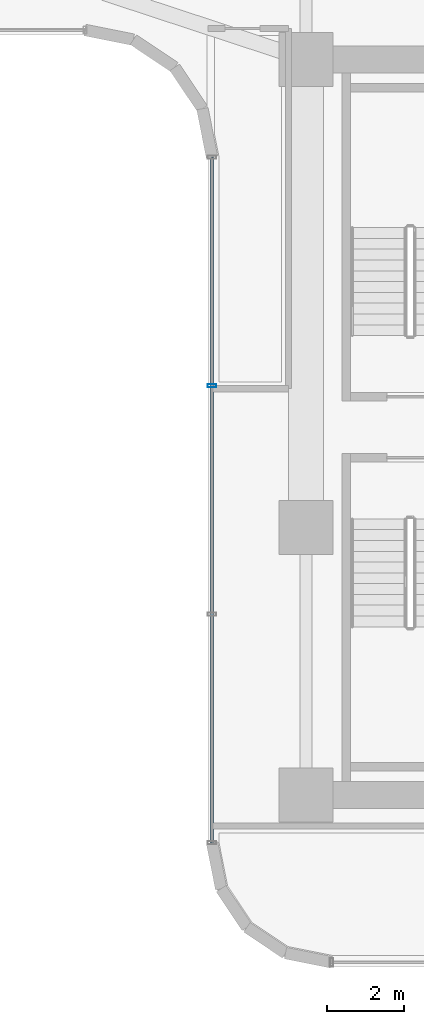
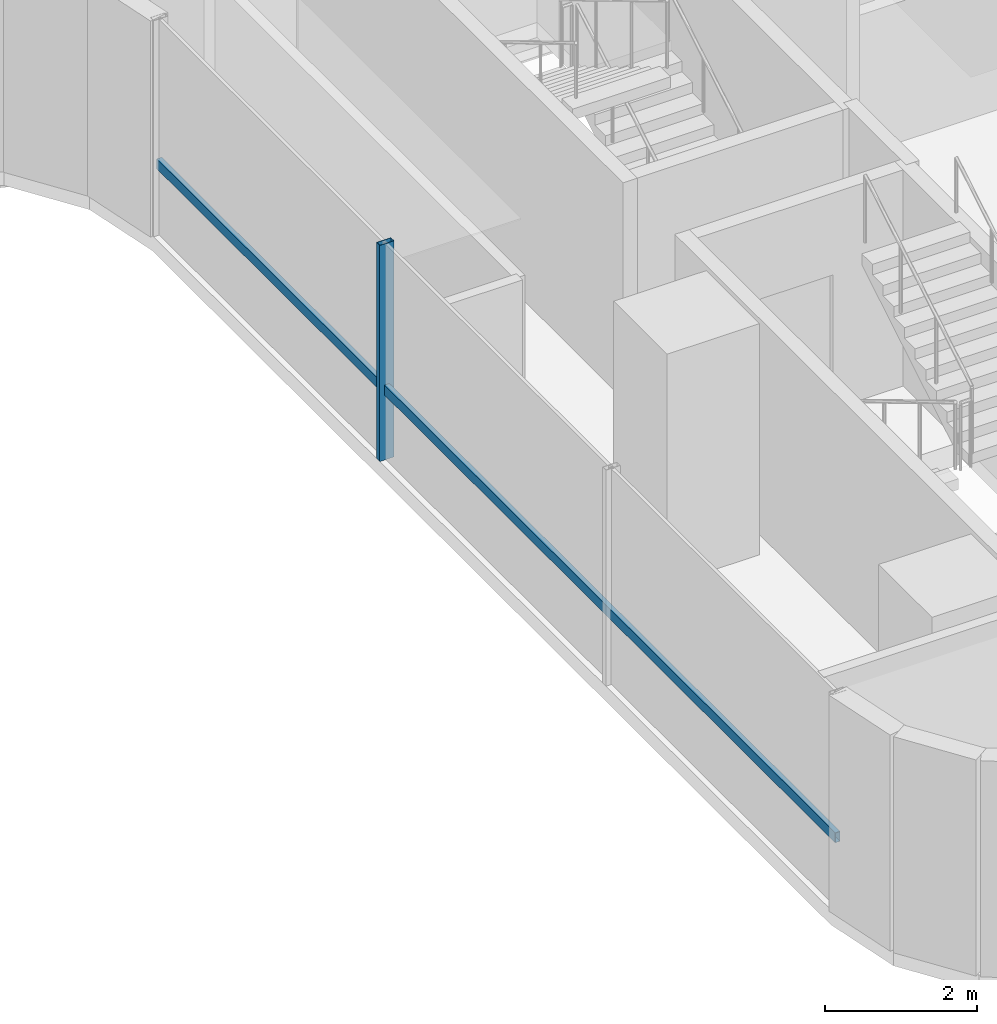
# One storey, part 15 of 40: 2 members, 1 element without a shape of its own.
"""IFC4 building model written with IfcOpenShell, lengths in metres."""

from ifc_helpers import new_model, si_unit, direction, frame, origin, origin_2d, place, context, subcontext, project, spatial, hollow_rectangle, extrude, source, transform, mapped, material, material_profile, profile_set, type_object, element, aggregate, save


model = new_model("IFC4")

# Units and contexts
model_context = context("Model", 3, precision=1e-05, world=origin(), true_north=direction((0.0, 1.0)))
body_context = subcontext(model_context, "Body", "Model", "MODEL_VIEW")
ifc_project = project(units=[si_unit("LENGTHUNIT", "METRE"), si_unit("AREAUNIT", "SQUARE_METRE"), si_unit("VOLUMEUNIT", "CUBIC_METRE"), si_unit("PLANEANGLEUNIT", "RADIAN"), si_unit("MASSUNIT", "GRAM", prefix="KILO")], contexts=[model_context])

# Site, building, storey
site_placement = place(None, origin())
site = spatial("IfcSite", under=ifc_project, at=site_placement, CompositionType="ELEMENT")
building_placement = place(site_placement, origin())
building = spatial("IfcBuilding", under=site, at=building_placement, Name="Valdorenza Pilgrim Sanctuary Tower", CompositionType="ELEMENT")
storey_placement = place(building_placement, frame((0.0, 0.0, 51.89990234375)))
storey = spatial("IfcBuildingStorey", under=building, at=storey_placement, Name="L12", CompositionType="ELEMENT", Elevation=51.89990234375)

# Curtain wall, members
ifc_material_1 = material(Name="Curtain-wall IGU glazing", Category="glass")
curtain_wall_type = type_object("IfcCurtainWallType", Name="CW-SYS-03", PredefinedType="NOTDEFINED", material=ifc_material_1)
curtain_wall_placement = place(storey_placement, origin())
curtain_wall = element("IfcCurtainWall", 1, at=curtain_wall_placement, inside=storey, type_object=curtain_wall_type, Name="L12 Curtain Wall CW-L12-1-31", PredefinedType="NOTDEFINED")
ifc_material_2 = material(Name="Anodised aluminium AW-6060", Category="aluminium")
ifc_material_profile_1 = material_profile(ifc_material_2, hollow_rectangle(XDim=0.074951171875, YDim=0.159912109375, WallThickness=0.00390625, at=origin_2d()), Name="ALU-T 160x75x4")
ifc_profile_set_1 = profile_set([ifc_material_profile_1], Name="Anodised aluminium AW-6060")
member_type_1 = type_object("IfcMemberType", Name="CW-TRN-03", PredefinedType="USERDEFINED", material=ifc_profile_set_1)
shared_shape_1 = source(origin(), body_context, "Body", "SweptSolid", [
    extrude(hollow_rectangle(XDim=0.074951171875, YDim=0.159912109375, WallThickness=0.00390625, at=origin_2d()), origin(), (0.0, 0.0, 1.0), 17.800048828125),
])
member_1_placement = place(storey_placement, frame((13.409912109375, -10.789306640625, 1.1201171875), z_axis=(0.0, 1.0, 0.0), x_axis=(-1.0, 0.0, 0.0)))
member_1 = element("IfcMember", 2, at=member_1_placement, type_object=member_type_1, Name="CW-L12-1-31 Transom 1", ObjectType="TRANSOM", PredefinedType="USERDEFINED", context=body_context, shape_type="MappedRepresentation", body=[
    mapped(shared_shape_1, transform((0.0, 0.0, 0.0), x_axis=(1.0, 0.0, 0.0), y_axis=(0.0, 1.0, 0.0), z_axis=(0.0, 0.0, 1.0), scale=1.0)),
])
ifc_material_profile_2 = material_profile(ifc_material_2, hollow_rectangle(XDim=0.0849609375, YDim=0.219970703125, WallThickness=0.0048828125, at=origin_2d()), Name="ALU-M 220x85x5")
ifc_profile_set_2 = profile_set([ifc_material_profile_2], Name="Anodised aluminium AW-6060")
member_type_2 = type_object("IfcMemberType", Name="CW-MUL-03", PredefinedType="MULLION", material=ifc_profile_set_2)
shared_shape_2 = source(origin(), body_context, "Body", "SweptSolid", [
    extrude(hollow_rectangle(XDim=0.0849609375, YDim=0.219970703125, WallThickness=0.0048828125, at=origin_2d()), origin(), (0.0, 0.0, 1.0), 3.460205078125),
])
member_2_placement = place(storey_placement, frame((13.409912109375, 1.077392578125, 0.0), z_axis=(0.0, 0.0, 1.0), x_axis=(0.0, 1.0, 0.0)))
member_2 = element("IfcMember", 3, at=member_2_placement, type_object=member_type_2, Name="CW-L12-1-31 Mullion 3", PredefinedType="MULLION", context=body_context, shape_type="MappedRepresentation", body=[
    mapped(shared_shape_2, transform((0.0, 0.0, 0.0), x_axis=(1.0, 0.0, 0.0), y_axis=(0.0, 1.0, 0.0), z_axis=(0.0, 0.0, 1.0), scale=1.0)),
])
aggregate(curtain_wall, [member_2, member_1])

save(model, "model.ifc")
